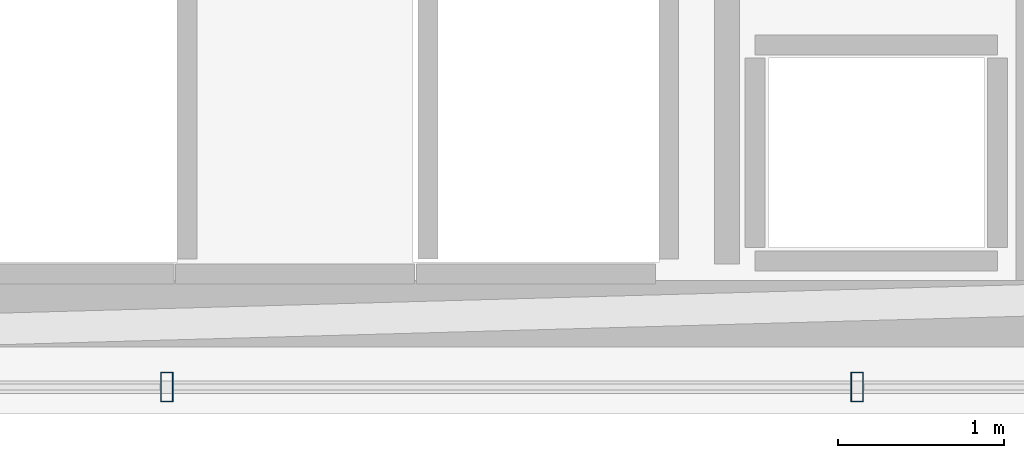
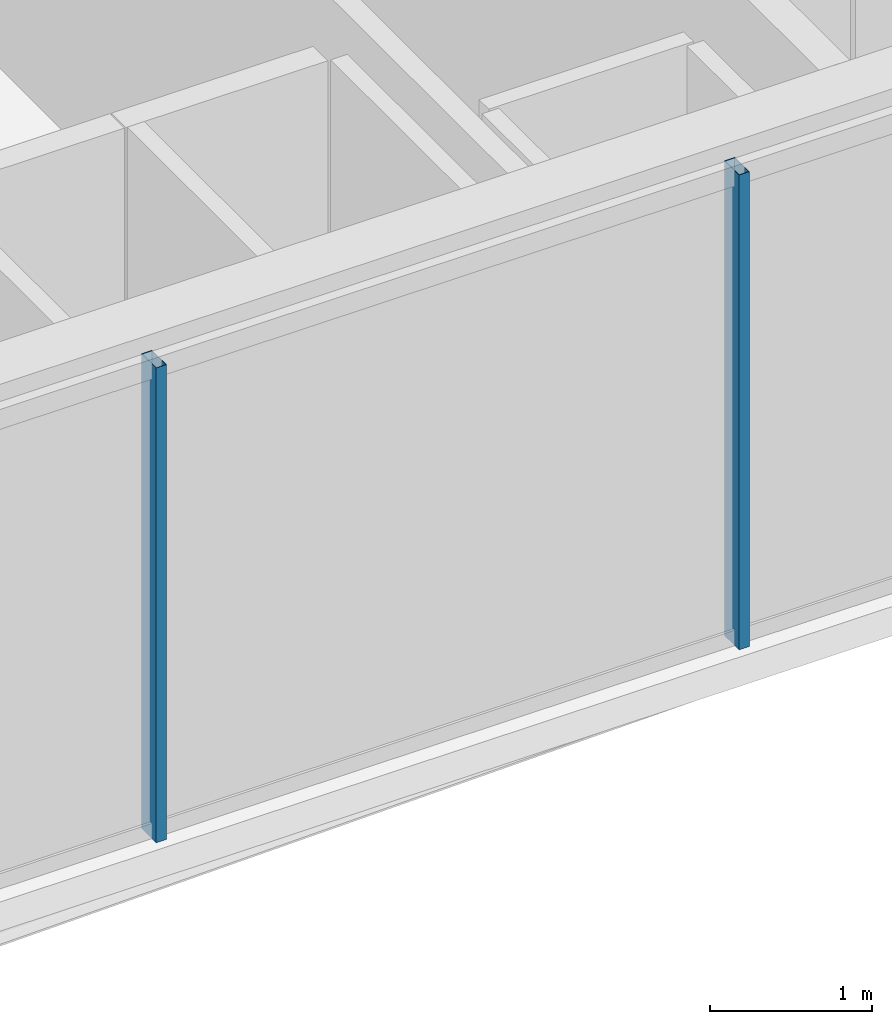
# One storey, part 9 of 35: 2 members, 1 element without a shape of its own.
"""IFC4 building model written with IfcOpenShell, lengths in metres."""

from ifc_helpers import new_model, si_unit, direction, frame, origin, origin_2d, place, context, subcontext, project, spatial, hollow_rectangle, extrude, material, layer, layer_set, material_profile, profile_set, type_object, element, aggregate, save


model = new_model("IFC4")

# Units and contexts
model_context = context("Model", 3, precision=1e-05, world=origin(), true_north=direction((0.0, 1.0)))
body_context = subcontext(model_context, "Body", "Model", "MODEL_VIEW")
ifc_project = project(units=[si_unit("LENGTHUNIT", "METRE"), si_unit("AREAUNIT", "SQUARE_METRE"), si_unit("VOLUMEUNIT", "CUBIC_METRE"), si_unit("PLANEANGLEUNIT", "RADIAN"), si_unit("MASSUNIT", "GRAM", prefix="KILO")], contexts=[model_context])

# Site, building, storey
site_placement = place(None, origin())
site = spatial("IfcSite", under=ifc_project, at=site_placement, CompositionType="ELEMENT")
building_placement = place(site_placement, origin())
building = spatial("IfcBuilding", under=site, at=building_placement, Name="Ndaravel Arena Tower", CompositionType="ELEMENT")
storey_placement = place(building_placement, frame((0.0, 0.0, 172.60009765625)))
storey = spatial("IfcBuildingStorey", under=building, at=storey_placement, Name="L41", CompositionType="ELEMENT", Elevation=172.60009765625)

# Curtain wall, members
ifc_material_1 = material(Name="Aluminium", Category="aluminium")
ifc_layer = layer(ifc_material_1, 0.179931640625)
ifc_layer_set = layer_set([ifc_layer], Name="Aluminium")
curtain_wall_type = type_object("IfcCurtainWallType", Name="CW-SYS-03", PredefinedType="NOTDEFINED", material=ifc_layer_set)
curtain_wall_placement = place(storey_placement, origin())
curtain_wall = element("IfcCurtainWall", 1, at=curtain_wall_placement, inside=storey, type_object=curtain_wall_type, Name="L41 Faceted Crystal Curtain Wall CW-L41-E01", PredefinedType="NOTDEFINED")
ifc_material_2 = material(Name="Aluminium", Category="aluminium")
ifc_material_profile = material_profile(ifc_material_2, hollow_rectangle(XDim=0.074951171875, YDim=0.179931640625, WallThickness=0.00390625, at=origin_2d()), Name="CW MULLION 75x180x4")
ifc_profile_set = profile_set([ifc_material_profile], Name="Aluminium")
member_type = type_object("IfcMemberType", Name="MEM-CW-MUL180", PredefinedType="MULLION", material=ifc_profile_set)
member_1_placement = place(storey_placement, frame((44.078125, 5.159912109375, 0.0), z_axis=(0.0, 0.0, 1.0), x_axis=(1.0, 0.0, 0.0)))
member_1 = element("IfcMember", 2, at=member_1_placement, type_object=member_type, Name="CW-L41-E01 Mullion 05", PredefinedType="MULLION", context=body_context, shape_type="SweptSolid", body=[
    extrude(hollow_rectangle(XDim=0.074951171875, YDim=0.179931640625, WallThickness=0.00390625, at=origin_2d()), origin(), (0.0, 0.0, 1.0), 3.579833984375),
])
member_2_placement = place(storey_placement, frame((48.234619140625, 5.159912109375, 0.0), z_axis=(0.0, 0.0, 1.0), x_axis=(1.0, 0.0, 0.0)))
member_2 = element("IfcMember", 3, at=member_2_placement, type_object=member_type, Name="CW-L41-E01 Mullion 06", PredefinedType="MULLION", context=body_context, shape_type="SweptSolid", body=[
    extrude(hollow_rectangle(XDim=0.074951171875, YDim=0.179931640625, WallThickness=0.00390625, at=origin_2d()), origin(), (0.0, 0.0, 1.0), 3.579833984375),
])
aggregate(curtain_wall, [member_1, member_2])

save(model, "model.ifc")
